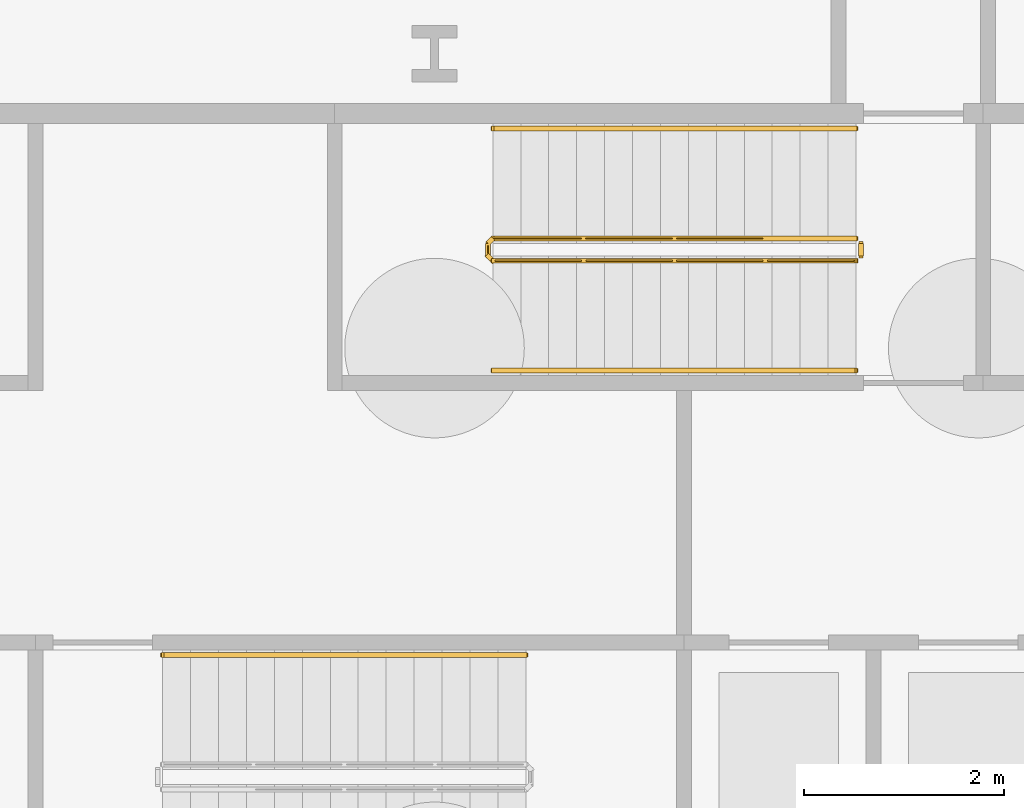
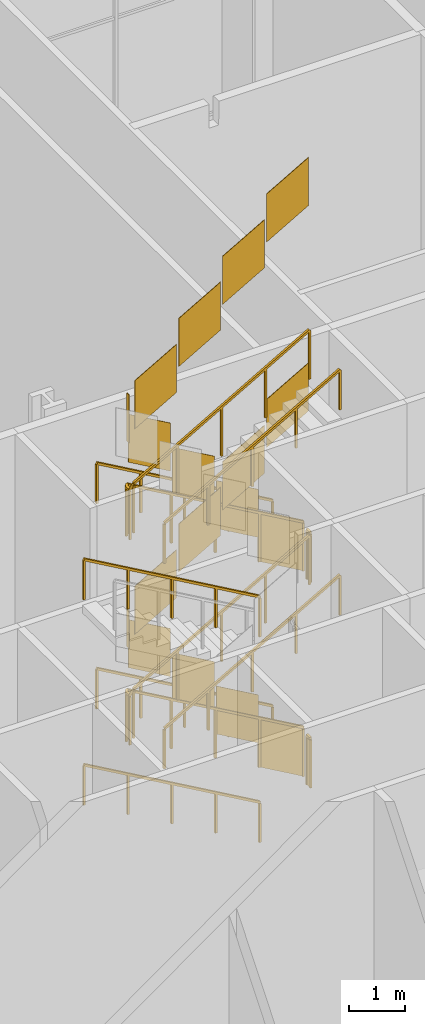
# One storey, part 34 of 38: 10 railings.
"""IFC4 building model written with IfcOpenShell, lengths in metres."""

from ifc_helpers import new_model, si_unit, direction, frame, origin, origin_2d, place, context, subcontext, project, spatial, polyline, rectangle, outline, extrude, material, type_object, element, save


model = new_model("IFC4")

# Units and contexts
model_context = context("Model", 3, precision=1e-05, world=origin(), true_north=direction((0.0, 1.0)))
body_context = subcontext(model_context, "Body", "Model", "MODEL_VIEW")
ifc_project = project(units=[si_unit("LENGTHUNIT", "METRE"), si_unit("AREAUNIT", "SQUARE_METRE"), si_unit("VOLUMEUNIT", "CUBIC_METRE"), si_unit("PLANEANGLEUNIT", "RADIAN"), si_unit("MASSUNIT", "GRAM", prefix="KILO")], contexts=[model_context])

# Site, building, storey
site_placement = place(None, origin())
site = spatial("IfcSite", under=ifc_project, at=site_placement, CompositionType="ELEMENT")
building_placement = place(site_placement, origin())
building = spatial("IfcBuilding", under=site, at=building_placement, Name="Cairn Pilgrim Tower", CompositionType="ELEMENT")
storey_placement = place(building_placement, origin())
storey = spatial("IfcBuildingStorey", under=building, at=storey_placement, Name="L00", CompositionType="ELEMENT", Elevation=0.0)

# Railings
ifc_material = material(Name="Painted steel", Category="steel")
railing_type_1 = type_object("IfcRailingType", Name="STAIR GUARD 1100", PredefinedType="GUARDRAIL", material=ifc_material)
railing_1_placement = place(storey_placement, frame((11.425048828125, 8.949951171875, 0.16064453125)))
element("IfcRailing", 1, at=railing_1_placement, inside=storey, type_object=railing_type_1, Name="L00 ST-C stair guard 1", PredefinedType="GUARDRAIL", context=body_context, shape_type="SweptSolid", body=[
    extrude(rectangle(XDim=0.048095703125, YDim=0.048095703125, at=origin_2d()), frame((0.0, 0.0, 1.076171875), z_axis=(-0.867289372828, 0.0, 0.497804322781), x_axis=(0.0, -1.0, 0.0)), (0.0, 0.0, 1.0), 4.197021484375),
    extrude(rectangle(XDim=0.048095703125, YDim=0.048095703125, at=origin_2d()), frame((-3.64013671875, 0.0, 3.16552734375), z_axis=(-0.705375805398, -0.708833529934, 0.0), x_axis=(0.708833529934, -0.705375805398, 0.0)), (0.0, 0.0, 1.0), 0.070556640625),
    extrude(rectangle(XDim=0.048095703125, YDim=0.048095703125, at=origin_2d()), frame((-3.68994140625, -0.050048828125, 3.16552734375), z_axis=(0.0, -1.0, 0.0), x_axis=(1.0, 0.0, 0.0)), (0.0, 0.0, 1.0), 0.125),
    extrude(rectangle(XDim=0.048095703125, YDim=0.048095703125, at=origin_2d()), frame((-3.68994140625, -0.175048828125, 3.16552734375), z_axis=(0.283937562652, -0.283937562652, 0.915837824634), x_axis=(0.707106781187, 0.707106781187, 0.0)), (0.0, 0.0, 1.0), 0.17529296875),
    extrude(rectangle(XDim=0.048095703125, YDim=0.048095703125, at=origin_2d()), frame((-3.64013671875, -0.224853515625, 3.326171875), z_axis=(0.867289372828, 0.0, 0.497804322781), x_axis=(0.0, 1.0, 0.0)), (0.0, 0.0, 1.0), 4.197021484375),
    extrude(rectangle(XDim=0.0419921875, YDim=0.0419921875, at=origin_2d()), origin(), (0.0, 0.0, 1.0), 1.052001953125),
    extrude(rectangle(XDim=0.0419921875, YDim=0.0419921875, at=origin_2d()), frame((-0.91015625, 0.0, 0.5224609375)), (0.0, 0.0, 1.0), 1.052001953125),
    extrude(rectangle(XDim=0.0419921875, YDim=0.0419921875, at=origin_2d()), frame((-1.820068359375, 0.0, 1.044677734375)), (0.0, 0.0, 1.0), 1.052001953125),
    extrude(rectangle(XDim=0.0419921875, YDim=0.0419921875, at=origin_2d()), frame((-2.72998046875, 0.0, 1.56689453125)), (0.0, 0.0, 1.0), 1.052001953125),
    extrude(rectangle(XDim=0.0419921875, YDim=0.0419921875, at=origin_2d()), frame((-3.64013671875, 0.0, 2.08935546875)), (0.0, 0.0, 1.0), 1.052001953125),
    extrude(rectangle(XDim=0.0419921875, YDim=0.0419921875, at=origin_2d()), frame((-3.68994140625, -0.050048828125, 2.08935546875)), (0.0, 0.0, 1.0), 1.052001953125),
    extrude(rectangle(XDim=0.0419921875, YDim=0.0419921875, at=origin_2d()), frame((-3.68994140625, -0.175048828125, 2.08935546875)), (0.0, 0.0, 1.0), 1.052001953125),
    extrude(rectangle(XDim=0.0419921875, YDim=0.0419921875, at=origin_2d()), frame((-3.64013671875, -0.224853515625, 2.25)), (0.0, 0.0, 1.0), 1.052001953125),
    extrude(rectangle(XDim=0.0419921875, YDim=0.0419921875, at=origin_2d()), frame((-2.72998046875, -0.224853515625, 2.7724609375)), (0.0, 0.0, 1.0), 1.052001953125),
    extrude(rectangle(XDim=0.0419921875, YDim=0.0419921875, at=origin_2d()), frame((-1.820068359375, -0.224853515625, 3.294677734375)), (0.0, 0.0, 1.0), 1.052001953125),
    extrude(rectangle(XDim=0.0419921875, YDim=0.0419921875, at=origin_2d()), frame((-0.91015625, -0.224853515625, 3.81689453125)), (0.0, 0.0, 1.0), 1.052001953125),
    extrude(rectangle(XDim=0.0419921875, YDim=0.0419921875, at=origin_2d()), frame((0.0, -0.224853515625, 4.33935546875)), (0.0, 0.0, 1.0), 1.052001953125),
    extrude(outline(polyline([(0.02099609375, 0.011962890625), (0.88916015625, 0.51025390625), (0.88916015625, 1.562255859375), (0.02099609375, 1.06396484375), (0.02099609375, 0.011962890625)])), frame((0.0, -0.005859375, 0.0), z_axis=(0.0, 1.0, 0.0), x_axis=(-1.0, 0.0, 0.0)), (0.0, 0.0, 1.0), 0.011962890625),
    extrude(outline(polyline([(0.02099609375, 0.534423828125), (0.88916015625, 1.03271484375), (0.88916015625, 2.084716796875), (0.02099609375, 1.58642578125), (0.02099609375, 0.534423828125)])), frame((-0.91015625, -0.005859375, 0.5224609375), z_axis=(0.0, 1.0, 0.0), x_axis=(-1.0, 0.0, 0.0)), (0.0, 0.0, 1.0), 0.011962890625),
    extrude(outline(polyline([(0.02099609375, 1.056640625), (0.88916015625, 1.554931640625), (0.88916015625, 2.60693359375), (0.02099609375, 2.108642578125), (0.02099609375, 1.056640625)])), frame((-1.820068359375, -0.005859375, 1.044677734375), z_axis=(0.0, 1.0, 0.0), x_axis=(-1.0, 0.0, 0.0)), (0.0, 0.0, 1.0), 0.011962890625),
    extrude(outline(polyline([(0.02099609375, 1.5791015625), (0.88916015625, 2.077392578125), (0.88916015625, 3.12939453125), (0.02099609375, 2.631103515625), (0.02099609375, 1.5791015625)])), frame((-2.72998046875, -0.005859375, 1.56689453125), z_axis=(0.0, 1.0, 0.0), x_axis=(-1.0, 0.0, 0.0)), (0.0, 0.0, 1.0), 0.011962890625),
    extrude(outline(polyline([(0.02099609375, 2.08935546875), (0.10400390625, 2.08935546875), (0.10400390625, 3.141357421875), (0.02099609375, 3.141357421875), (0.02099609375, 2.08935546875)])), frame((-3.68408203125, -0.050048828125, 2.08935546875), z_axis=(-1.0, 0.0, 0.0), x_axis=(0.0, -1.0, 0.0)), (0.0, 0.0, 1.0), 0.011962890625),
    extrude(outline(polyline([(0.02099609375, 2.261962890625), (0.88916015625, 2.76025390625), (0.88916015625, 3.812255859375), (0.02099609375, 3.31396484375), (0.02099609375, 2.261962890625)])), frame((-3.64013671875, -0.21875, 2.25), z_axis=(0.0, -1.0, 0.0), x_axis=(1.0, 0.0, 0.0)), (0.0, 0.0, 1.0), 0.011962890625),
    extrude(outline(polyline([(0.02099609375, 2.784423828125), (0.88916015625, 3.28271484375), (0.88916015625, 4.334716796875), (0.02099609375, 3.83642578125), (0.02099609375, 2.784423828125)])), frame((-2.72998046875, -0.21875, 2.7724609375), z_axis=(0.0, -1.0, 0.0), x_axis=(1.0, 0.0, 0.0)), (0.0, 0.0, 1.0), 0.011962890625),
    extrude(outline(polyline([(0.02099609375, 3.306640625), (0.88916015625, 3.804931640625), (0.88916015625, 4.85693359375), (0.02099609375, 4.358642578125), (0.02099609375, 3.306640625)])), frame((-1.820068359375, -0.21875, 3.294677734375), z_axis=(0.0, -1.0, 0.0), x_axis=(1.0, 0.0, 0.0)), (0.0, 0.0, 1.0), 0.011962890625),
    extrude(outline(polyline([(0.02099609375, 3.8291015625), (0.88916015625, 4.327392578125), (0.88916015625, 5.37939453125), (0.02099609375, 4.881103515625), (0.02099609375, 3.8291015625)])), frame((-0.91015625, -0.21875, 3.81689453125), z_axis=(0.0, -1.0, 0.0), x_axis=(1.0, 0.0, 0.0)), (0.0, 0.0, 1.0), 0.011962890625),
])
railing_2_placement = place(storey_placement, frame((11.47509765625, 8.89990234375, 4.5)))
element("IfcRailing", 2, at=railing_2_placement, inside=storey, type_object=railing_type_1, Name="L00 ST-C stair guard 2", PredefinedType="GUARDRAIL", context=body_context, shape_type="SweptSolid", body=[
    extrude(rectangle(XDim=0.048095703125, YDim=0.048095703125, at=origin_2d()), frame((0.0, 0.0, 1.076171875), z_axis=(0.0, -1.0, 0.0), x_axis=(1.0, 0.0, 0.0)), (0.0, 0.0, 1.0), 0.125),
    extrude(rectangle(XDim=0.0419921875, YDim=0.0419921875, at=origin_2d()), origin(), (0.0, 0.0, 1.0), 1.052001953125),
    extrude(rectangle(XDim=0.0419921875, YDim=0.0419921875, at=origin_2d()), frame((0.0, -0.125, 0.0)), (0.0, 0.0, 1.0), 1.052001953125),
    extrude(outline(polyline([(0.02099609375, 0.0), (0.10400390625, 0.0), (0.10400390625, 1.052001953125), (0.02099609375, 1.052001953125), (0.02099609375, 0.0)])), frame((0.005859375, 0.0, 0.0), z_axis=(-1.0, 0.0, 0.0), x_axis=(0.0, -1.0, 0.0)), (0.0, 0.0, 1.0), 0.011962890625),
])
railing_3_placement = place(storey_placement, frame((11.425048828125, 8.949951171875, 4.66064453125)))
element("IfcRailing", 3, at=railing_3_placement, inside=storey, type_object=railing_type_1, Name="L00 ST-C stair guard 3", PredefinedType="GUARDRAIL", context=body_context, shape_type="SweptSolid", body=[
    extrude(rectangle(XDim=0.048095703125, YDim=0.048095703125, at=origin_2d()), frame((0.0, 0.0, 1.076171875), z_axis=(-0.867289372828, 0.0, 0.497804322781), x_axis=(0.0, -1.0, 0.0)), (0.0, 0.0, 1.0), 4.197021484375),
    extrude(rectangle(XDim=0.048095703125, YDim=0.048095703125, at=origin_2d()), frame((-3.64013671875, 0.0, 3.16552734375), z_axis=(-0.705375805398, -0.708833529934, 0.0), x_axis=(0.708833529934, -0.705375805398, 0.0)), (0.0, 0.0, 1.0), 0.070556640625),
    extrude(rectangle(XDim=0.048095703125, YDim=0.048095703125, at=origin_2d()), frame((-3.68994140625, -0.050048828125, 3.16552734375), z_axis=(0.0, -1.0, 0.0), x_axis=(1.0, 0.0, 0.0)), (0.0, 0.0, 1.0), 0.125),
    extrude(rectangle(XDim=0.048095703125, YDim=0.048095703125, at=origin_2d()), frame((-3.68994140625, -0.175048828125, 3.16552734375), z_axis=(0.283937562652, -0.283937562652, 0.915837824634), x_axis=(0.707106781187, 0.707106781187, 0.0)), (0.0, 0.0, 1.0), 0.17529296875),
    extrude(rectangle(XDim=0.048095703125, YDim=0.048095703125, at=origin_2d()), frame((-3.64013671875, -0.224853515625, 3.326171875), z_axis=(0.867289372828, 0.0, 0.497804322781), x_axis=(0.0, 1.0, 0.0)), (0.0, 0.0, 1.0), 4.197021484375),
    extrude(rectangle(XDim=0.0419921875, YDim=0.0419921875, at=origin_2d()), origin(), (0.0, 0.0, 1.0), 1.052001953125),
    extrude(rectangle(XDim=0.0419921875, YDim=0.0419921875, at=origin_2d()), frame((-0.91015625, 0.0, 0.5224609375)), (0.0, 0.0, 1.0), 1.052001953125),
    extrude(rectangle(XDim=0.0419921875, YDim=0.0419921875, at=origin_2d()), frame((-1.820068359375, 0.0, 1.044677734375)), (0.0, 0.0, 1.0), 1.052001953125),
    extrude(rectangle(XDim=0.0419921875, YDim=0.0419921875, at=origin_2d()), frame((-2.72998046875, 0.0, 1.56689453125)), (0.0, 0.0, 1.0), 1.052001953125),
    extrude(rectangle(XDim=0.0419921875, YDim=0.0419921875, at=origin_2d()), frame((-3.64013671875, 0.0, 2.08935546875)), (0.0, 0.0, 1.0), 1.052001953125),
    extrude(rectangle(XDim=0.0419921875, YDim=0.0419921875, at=origin_2d()), frame((-3.68994140625, -0.050048828125, 2.08935546875)), (0.0, 0.0, 1.0), 1.052001953125),
    extrude(rectangle(XDim=0.0419921875, YDim=0.0419921875, at=origin_2d()), frame((-3.68994140625, -0.175048828125, 2.08935546875)), (0.0, 0.0, 1.0), 1.052001953125),
    extrude(rectangle(XDim=0.0419921875, YDim=0.0419921875, at=origin_2d()), frame((-3.64013671875, -0.224853515625, 2.25)), (0.0, 0.0, 1.0), 1.052001953125),
    extrude(rectangle(XDim=0.0419921875, YDim=0.0419921875, at=origin_2d()), frame((-2.72998046875, -0.224853515625, 2.7724609375)), (0.0, 0.0, 1.0), 1.052001953125),
    extrude(rectangle(XDim=0.0419921875, YDim=0.0419921875, at=origin_2d()), frame((-1.820068359375, -0.224853515625, 3.294677734375)), (0.0, 0.0, 1.0), 1.052001953125),
    extrude(rectangle(XDim=0.0419921875, YDim=0.0419921875, at=origin_2d()), frame((-0.91015625, -0.224853515625, 3.81689453125)), (0.0, 0.0, 1.0), 1.052001953125),
    extrude(rectangle(XDim=0.0419921875, YDim=0.0419921875, at=origin_2d()), frame((0.0, -0.224853515625, 4.33935546875)), (0.0, 0.0, 1.0), 1.052001953125),
    extrude(outline(polyline([(0.02099609375, 0.011962890625), (0.88916015625, 0.51025390625), (0.88916015625, 1.562255859375), (0.02099609375, 1.06396484375), (0.02099609375, 0.011962890625)])), frame((0.0, -0.005859375, 0.0), z_axis=(0.0, 1.0, 0.0), x_axis=(-1.0, 0.0, 0.0)), (0.0, 0.0, 1.0), 0.011962890625),
    extrude(outline(polyline([(0.02099609375, 0.534423828125), (0.88916015625, 1.03271484375), (0.88916015625, 2.084716796875), (0.02099609375, 1.58642578125), (0.02099609375, 0.534423828125)])), frame((-0.91015625, -0.005859375, 0.5224609375), z_axis=(0.0, 1.0, 0.0), x_axis=(-1.0, 0.0, 0.0)), (0.0, 0.0, 1.0), 0.011962890625),
    extrude(outline(polyline([(0.02099609375, 1.056640625), (0.88916015625, 1.554931640625), (0.88916015625, 2.60693359375), (0.02099609375, 2.108642578125), (0.02099609375, 1.056640625)])), frame((-1.820068359375, -0.005859375, 1.044677734375), z_axis=(0.0, 1.0, 0.0), x_axis=(-1.0, 0.0, 0.0)), (0.0, 0.0, 1.0), 0.011962890625),
    extrude(outline(polyline([(0.02099609375, 1.5791015625), (0.88916015625, 2.077392578125), (0.88916015625, 3.12939453125), (0.02099609375, 2.631103515625), (0.02099609375, 1.5791015625)])), frame((-2.72998046875, -0.005859375, 1.56689453125), z_axis=(0.0, 1.0, 0.0), x_axis=(-1.0, 0.0, 0.0)), (0.0, 0.0, 1.0), 0.011962890625),
    extrude(outline(polyline([(0.02099609375, 2.08935546875), (0.10400390625, 2.08935546875), (0.10400390625, 3.141357421875), (0.02099609375, 3.141357421875), (0.02099609375, 2.08935546875)])), frame((-3.68408203125, -0.050048828125, 2.08935546875), z_axis=(-1.0, 0.0, 0.0), x_axis=(0.0, -1.0, 0.0)), (0.0, 0.0, 1.0), 0.011962890625),
    extrude(outline(polyline([(0.02099609375, 2.261962890625), (0.88916015625, 2.76025390625), (0.88916015625, 3.812255859375), (0.02099609375, 3.31396484375), (0.02099609375, 2.261962890625)])), frame((-3.64013671875, -0.21875, 2.25), z_axis=(0.0, -1.0, 0.0), x_axis=(1.0, 0.0, 0.0)), (0.0, 0.0, 1.0), 0.011962890625),
    extrude(outline(polyline([(0.02099609375, 2.784423828125), (0.88916015625, 3.28271484375), (0.88916015625, 4.334716796875), (0.02099609375, 3.83642578125), (0.02099609375, 2.784423828125)])), frame((-2.72998046875, -0.21875, 2.7724609375), z_axis=(0.0, -1.0, 0.0), x_axis=(1.0, 0.0, 0.0)), (0.0, 0.0, 1.0), 0.011962890625),
    extrude(outline(polyline([(0.02099609375, 3.306640625), (0.88916015625, 3.804931640625), (0.88916015625, 4.85693359375), (0.02099609375, 4.358642578125), (0.02099609375, 3.306640625)])), frame((-1.820068359375, -0.21875, 3.294677734375), z_axis=(0.0, -1.0, 0.0), x_axis=(1.0, 0.0, 0.0)), (0.0, 0.0, 1.0), 0.011962890625),
    extrude(outline(polyline([(0.02099609375, 3.8291015625), (0.88916015625, 4.327392578125), (0.88916015625, 5.37939453125), (0.02099609375, 4.881103515625), (0.02099609375, 3.8291015625)])), frame((-0.91015625, -0.21875, 3.81689453125), z_axis=(0.0, -1.0, 0.0), x_axis=(1.0, 0.0, 0.0)), (0.0, 0.0, 1.0), 0.011962890625),
])
railing_4_placement = place(storey_placement, frame((11.47509765625, 8.89990234375, 0.0)))
element("IfcRailing", 4, at=railing_4_placement, inside=storey, type_object=railing_type_1, Name="L00 ST-C stair guard 4", PredefinedType="GUARDRAIL", context=body_context, shape_type="SweptSolid", body=[
    extrude(rectangle(XDim=0.048095703125, YDim=0.048095703125, at=origin_2d()), frame((0.0, 0.0, 1.076171875), z_axis=(0.0, -1.0, 0.0), x_axis=(1.0, 0.0, 0.0)), (0.0, 0.0, 1.0), 0.125),
    extrude(rectangle(XDim=0.0419921875, YDim=0.0419921875, at=origin_2d()), origin(), (0.0, 0.0, 1.0), 1.052001953125),
    extrude(rectangle(XDim=0.0419921875, YDim=0.0419921875, at=origin_2d()), frame((0.0, -0.125, 0.0)), (0.0, 0.0, 1.0), 1.052001953125),
    extrude(outline(polyline([(0.02099609375, 0.0), (0.10400390625, 0.0), (0.10400390625, 1.052001953125), (0.02099609375, 1.052001953125), (0.02099609375, 0.0)])), frame((0.005859375, 0.0, 0.0), z_axis=(-1.0, 0.0, 0.0), x_axis=(0.0, -1.0, 0.0)), (0.0, 0.0, 1.0), 0.011962890625),
])
railing_type_2 = type_object("IfcRailingType", Name="STAIR HANDRAIL 900", PredefinedType="HANDRAIL", material=ifc_material)
for number, where, name in (
    (5, (8.114990234375, 4.77490234375, 2.41064453125), "L00 ST-B stair handrail 2"),
    (6, (8.114990234375, 4.77490234375, 6.91064453125), "L00 ST-B stair handrail 4"),
):
    element("IfcRailing", number, at=place(storey_placement, frame(where)), inside=storey, type_object=railing_type_2, Name=name, PredefinedType="HANDRAIL", context=body_context, shape_type="SweptSolid", body=[
        extrude(rectangle(XDim=0.048095703125, YDim=0.048095703125, at=origin_2d()), frame((0.0, 0.0, 0.8759765625), z_axis=(-0.8672749571, 0.0, 0.497829437445), x_axis=(0.0, -1.0, 0.0)), (0.0, 0.0, 1.0), 4.197021484375),
        extrude(rectangle(XDim=0.0419921875, YDim=0.0419921875, at=origin_2d()), origin(), (0.0, 0.0, 1.0), 0.851806640625),
        extrude(rectangle(XDim=0.0419921875, YDim=0.0419921875, at=origin_2d()), frame((-0.909912109375, 0.0, 0.5224609375)), (0.0, 0.0, 1.0), 0.851806640625),
        extrude(rectangle(XDim=0.0419921875, YDim=0.0419921875, at=origin_2d()), frame((-1.81982421875, 0.0, 1.044677734375)), (0.0, 0.0, 1.0), 0.851806640625),
        extrude(rectangle(XDim=0.0419921875, YDim=0.0419921875, at=origin_2d()), frame((-2.72998046875, 0.0, 1.56689453125)), (0.0, 0.0, 1.0), 0.851806640625),
        extrude(rectangle(XDim=0.0419921875, YDim=0.0419921875, at=origin_2d()), frame((-3.639892578125, 0.0, 2.08935546875)), (0.0, 0.0, 1.0), 0.851806640625),
    ])
railing_5_placement = place(storey_placement, frame((11.425048828125, 10.050048828125, 0.16064453125)))
element("IfcRailing", 7, at=railing_5_placement, inside=storey, type_object=railing_type_2, Name="L00 ST-C stair handrail 1", PredefinedType="HANDRAIL", context=body_context, shape_type="SweptSolid", body=[
    extrude(rectangle(XDim=0.048095703125, YDim=0.048095703125, at=origin_2d()), frame((0.0, 0.0, 0.8759765625), z_axis=(-0.867289372828, 0.0, 0.497804322781), x_axis=(0.0, -1.0, 0.0)), (0.0, 0.0, 1.0), 4.197021484375),
    extrude(rectangle(XDim=0.0419921875, YDim=0.0419921875, at=origin_2d()), origin(), (0.0, 0.0, 1.0), 0.851806640625),
    extrude(rectangle(XDim=0.0419921875, YDim=0.0419921875, at=origin_2d()), frame((-0.91015625, 0.0, 0.5224609375)), (0.0, 0.0, 1.0), 0.851806640625),
    extrude(rectangle(XDim=0.0419921875, YDim=0.0419921875, at=origin_2d()), frame((-1.820068359375, 0.0, 1.044677734375)), (0.0, 0.0, 1.0), 0.851806640625),
    extrude(rectangle(XDim=0.0419921875, YDim=0.0419921875, at=origin_2d()), frame((-2.72998046875, 0.0, 1.56689453125)), (0.0, 0.0, 1.0), 0.851806640625),
    extrude(rectangle(XDim=0.0419921875, YDim=0.0419921875, at=origin_2d()), frame((-3.64013671875, 0.0, 2.08935546875)), (0.0, 0.0, 1.0), 0.851806640625),
])
railing_6_placement = place(storey_placement, frame((7.784912109375, 7.625, 2.41064453125)))
element("IfcRailing", 8, at=railing_6_placement, inside=storey, type_object=railing_type_2, Name="L00 ST-C stair handrail 2", PredefinedType="HANDRAIL", context=body_context, shape_type="SweptSolid", body=[
    extrude(rectangle(XDim=0.048095703125, YDim=0.048095703125, at=origin_2d()), frame((0.0, 0.0, 0.8759765625), z_axis=(0.867289372828, 0.0, 0.497804322781), x_axis=(0.0, 1.0, 0.0)), (0.0, 0.0, 1.0), 4.197021484375),
    extrude(rectangle(XDim=0.0419921875, YDim=0.0419921875, at=origin_2d()), origin(), (0.0, 0.0, 1.0), 0.851806640625),
    extrude(rectangle(XDim=0.0419921875, YDim=0.0419921875, at=origin_2d()), frame((0.91015625, 0.0, 0.5224609375)), (0.0, 0.0, 1.0), 0.851806640625),
    extrude(rectangle(XDim=0.0419921875, YDim=0.0419921875, at=origin_2d()), frame((1.820068359375, 0.0, 1.044677734375)), (0.0, 0.0, 1.0), 0.851806640625),
    extrude(rectangle(XDim=0.0419921875, YDim=0.0419921875, at=origin_2d()), frame((2.72998046875, 0.0, 1.56689453125)), (0.0, 0.0, 1.0), 0.851806640625),
    extrude(rectangle(XDim=0.0419921875, YDim=0.0419921875, at=origin_2d()), frame((3.64013671875, 0.0, 2.08935546875)), (0.0, 0.0, 1.0), 0.851806640625),
])
railing_7_placement = place(storey_placement, frame((11.425048828125, 10.050048828125, 4.66064453125)))
element("IfcRailing", 9, at=railing_7_placement, inside=storey, type_object=railing_type_2, Name="L00 ST-C stair handrail 3", PredefinedType="HANDRAIL", context=body_context, shape_type="SweptSolid", body=[
    extrude(rectangle(XDim=0.048095703125, YDim=0.048095703125, at=origin_2d()), frame((0.0, 0.0, 0.8759765625), z_axis=(-0.867289372828, 0.0, 0.497804322781), x_axis=(0.0, -1.0, 0.0)), (0.0, 0.0, 1.0), 4.197021484375),
    extrude(rectangle(XDim=0.0419921875, YDim=0.0419921875, at=origin_2d()), origin(), (0.0, 0.0, 1.0), 0.851806640625),
    extrude(rectangle(XDim=0.0419921875, YDim=0.0419921875, at=origin_2d()), frame((-0.91015625, 0.0, 0.5224609375)), (0.0, 0.0, 1.0), 0.851806640625),
    extrude(rectangle(XDim=0.0419921875, YDim=0.0419921875, at=origin_2d()), frame((-1.820068359375, 0.0, 1.044677734375)), (0.0, 0.0, 1.0), 0.851806640625),
    extrude(rectangle(XDim=0.0419921875, YDim=0.0419921875, at=origin_2d()), frame((-2.72998046875, 0.0, 1.56689453125)), (0.0, 0.0, 1.0), 0.851806640625),
    extrude(rectangle(XDim=0.0419921875, YDim=0.0419921875, at=origin_2d()), frame((-3.64013671875, 0.0, 2.08935546875)), (0.0, 0.0, 1.0), 0.851806640625),
])
railing_8_placement = place(storey_placement, frame((7.784912109375, 7.625, 6.91064453125)))
element("IfcRailing", 10, at=railing_8_placement, inside=storey, type_object=railing_type_2, Name="L00 ST-C stair handrail 4", PredefinedType="HANDRAIL", context=body_context, shape_type="SweptSolid", body=[
    extrude(rectangle(XDim=0.048095703125, YDim=0.048095703125, at=origin_2d()), frame((0.0, 0.0, 0.8759765625), z_axis=(0.867289372828, 0.0, 0.497804322781), x_axis=(0.0, 1.0, 0.0)), (0.0, 0.0, 1.0), 4.197021484375),
    extrude(rectangle(XDim=0.0419921875, YDim=0.0419921875, at=origin_2d()), origin(), (0.0, 0.0, 1.0), 0.851806640625),
    extrude(rectangle(XDim=0.0419921875, YDim=0.0419921875, at=origin_2d()), frame((0.91015625, 0.0, 0.5224609375)), (0.0, 0.0, 1.0), 0.851806640625),
    extrude(rectangle(XDim=0.0419921875, YDim=0.0419921875, at=origin_2d()), frame((1.820068359375, 0.0, 1.044677734375)), (0.0, 0.0, 1.0), 0.851806640625),
    extrude(rectangle(XDim=0.0419921875, YDim=0.0419921875, at=origin_2d()), frame((2.72998046875, 0.0, 1.56689453125)), (0.0, 0.0, 1.0), 0.851806640625),
    extrude(rectangle(XDim=0.0419921875, YDim=0.0419921875, at=origin_2d()), frame((3.64013671875, 0.0, 2.08935546875)), (0.0, 0.0, 1.0), 0.851806640625),
])

save(model, "model.ifc")
